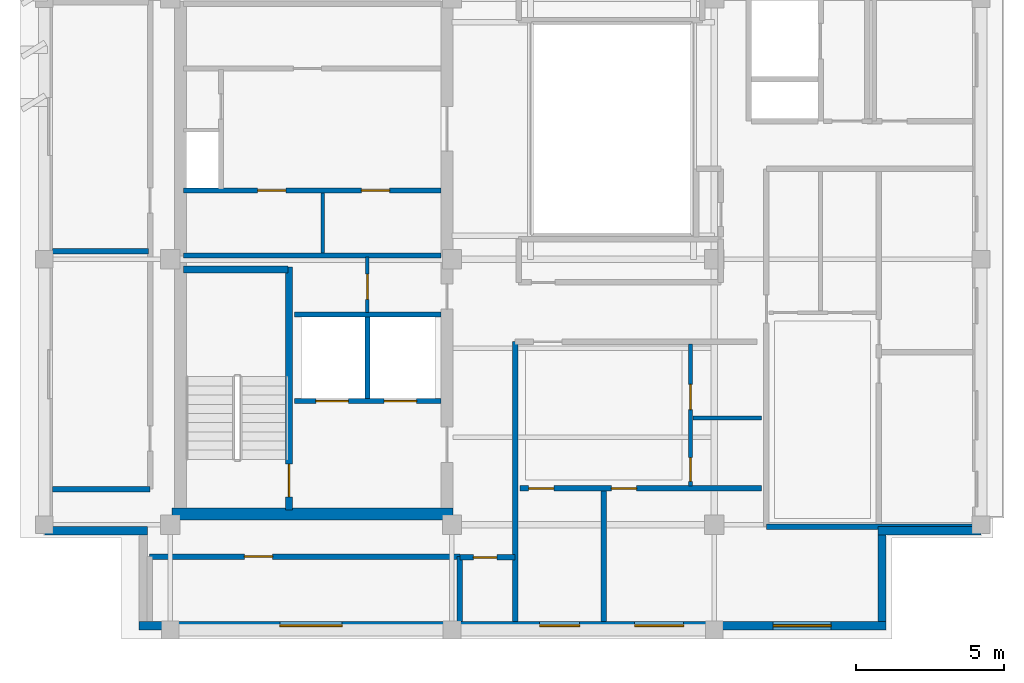
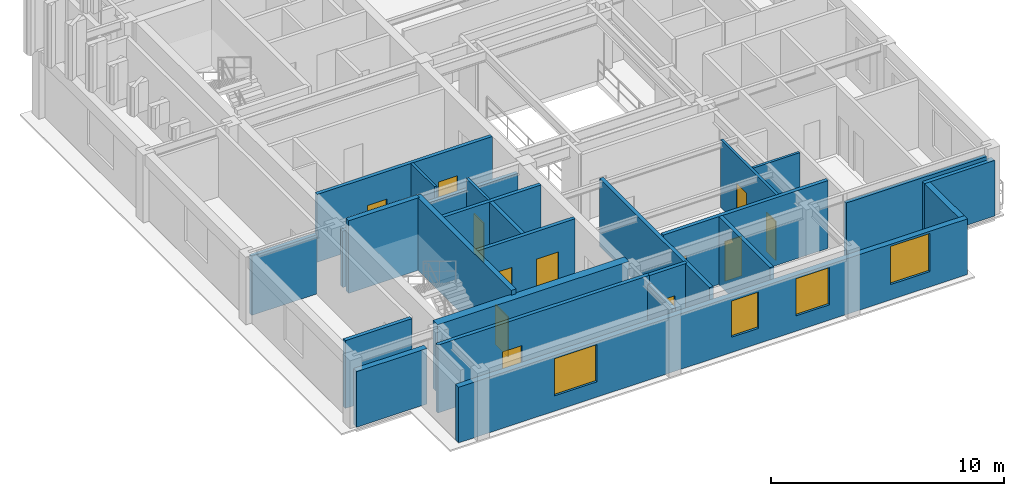
# One storey, part 2 of 9: 25 walls, 12 doors, 4 windows, 16 openings.
"""IFC4 building model written with IfcOpenShell, lengths in metres."""

import ifcopenshell
import ifcopenshell.guid

model = None  # the IFC model being written
_history = None  # IfcOwnerHistory: only IFC2X3 demands one
_inside = {}  # id of a spatial element -> (the spatial element, [elements in it])
_under = {}  # id of a project, library or spatial element -> (it, [spatial elements below it])
_declared = {}  # id of a project -> (the project, [libraries it declares])
_typed = {}  # id of a type object -> (the type object, [elements of that type])
_made_of = {}  # id of a material, layer set ... -> (it, [elements and type objects made of it])


def new_model(schema):
    """Start an empty IFC model of exactly this schema.

    Asked for "IFC4X3", IfcOpenShell would pick the latest addendum, in which some entities
    have other attributes; the version numbers below select the first issue.
    IFC2X3 requires an IfcOwnerHistory on every rooted entity: one is made here for all.
    """
    global model, _history
    if schema == "IFC4X3":
        model = ifcopenshell.file(schema_version=(4, 3, 0, 0))
    else:
        model = ifcopenshell.file(schema=schema)
    _inside.clear()
    _under.clear()
    _declared.clear()
    _typed.clear()
    _made_of.clear()
    _history = None
    if model.schema == "IFC2X3":
        org = make("IfcOrganization", Name="unknown")
        user = make(
            "IfcPersonAndOrganization",
            ThePerson=make("IfcPerson", FamilyName="unknown"),
            TheOrganization=org,
        )
        app = make(
            "IfcApplication",
            ApplicationDeveloper=org,
            Version="unknown",
            ApplicationFullName="unknown",
            ApplicationIdentifier="unknown",
        )
        _history = make(
            "IfcOwnerHistory",
            OwningUser=user,
            OwningApplication=app,
            ChangeAction="ADDED",
            CreationDate=0,
        )
    return model


def make(cls, **values):
    """One entity of the class cls with the attributes given. An attribute that is None is left unset."""
    return model.create_entity(
        cls, **{name: value for name, value in values.items() if value is not None}
    )


def rooted(cls, **values):
    """An entity with a GlobalId (a new one), such as an element, a storey or a relation."""
    return make(cls, GlobalId=ifcopenshell.guid.new(), OwnerHistory=_history, **values)


def si_unit(unit_type, name, prefix=None):
    """IfcSIUnit, for example si_unit("LENGTHUNIT", "METRE", prefix="MILLI")."""
    return make("IfcSIUnit", UnitType=unit_type, Prefix=prefix, Name=name)


def assignment(units):
    """IfcUnitAssignment: the units of a project."""
    return None if units is None else make("IfcUnitAssignment", Units=units)


def point(xyz):
    """IfcCartesianPoint."""
    return None if xyz is None else make("IfcCartesianPoint", Coordinates=xyz)


def direction(xyz):
    """IfcDirection."""
    return None if xyz is None else make("IfcDirection", DirectionRatios=xyz)


def frame(location, z_axis=None, x_axis=None):
    """IfcAxis2Placement3D, a coordinate frame: its origin and axes. An axis left out is left unset."""
    return make(
        "IfcAxis2Placement3D",
        Location=point(location),
        Axis=direction(z_axis),
        RefDirection=direction(x_axis),
    )


def frame_2d(location, x_axis=None):
    """IfcAxis2Placement2D, a coordinate frame in the plane: its origin and x axis."""
    return make(
        "IfcAxis2Placement2D", Location=point(location), RefDirection=direction(x_axis)
    )


def origin():
    """The frame at (0, 0, 0) with its axes left unset."""
    return frame((0.0, 0.0, 0.0))


def place(relative_to, where):
    """IfcLocalPlacement: puts the frame where relative to a parent placement (None: the world)."""
    return make(
        "IfcLocalPlacement", PlacementRelTo=relative_to, RelativePlacement=where
    )


def context(
    kind, dimensions, precision=None, world=None, true_north=None, identifier=None
):
    """IfcGeometricRepresentationContext, for example the 3D "Model" context."""
    return make(
        "IfcGeometricRepresentationContext",
        ContextIdentifier=identifier,
        ContextType=kind,
        CoordinateSpaceDimension=dimensions,
        Precision=precision,
        WorldCoordinateSystem=world,
        TrueNorth=true_north,
    )


def subcontext(parent, identifier, kind, view, scale=None):
    """IfcGeometricRepresentationSubContext, for example "Body" below "Model"."""
    return make(
        "IfcGeometricRepresentationSubContext",
        ContextIdentifier=identifier,
        ContextType=kind,
        ParentContext=parent,
        TargetScale=scale,
        TargetView=view,
    )


def project(units=None, contexts=None):
    """IfcProject with its units and contexts."""
    return rooted(
        "IfcProject",
        Name="project",
        RepresentationContexts=contexts,
        UnitsInContext=assignment(units),
    )


def spatial(cls, under=None, at=None, **own):
    """A site, building, storey or space (cls), placed at a placement, below another one or the project."""
    s = rooted(cls, ObjectPlacement=at, **own)
    if under is not None:
        _under.setdefault(under.id(), (under, []))[1].append(s)
    return s


def profile(cls, at=None, kind="AREA", **sizes):
    """A parametric profile (cls). Its sizes go by their IFC names, for example OverallWidth=200.0."""
    return make(cls, ProfileType=kind, Position=at, **sizes)


def rectangle(**sizes):
    """IfcRectangleProfileDef."""
    return profile("IfcRectangleProfileDef", **sizes)


def extrude(swept, where, along, depth):
    """IfcExtrudedAreaSolid: the profile swept, set in the frame where, extruded along a direction by depth."""
    return make(
        "IfcExtrudedAreaSolid",
        SweptArea=swept,
        Position=where,
        ExtrudedDirection=direction(along),
        Depth=depth,
    )


def shape(context_of_items, identifier, shape_type, items):
    """IfcShapeRepresentation: the items that make up one representation, for example the "Body"."""
    return make(
        "IfcShapeRepresentation",
        ContextOfItems=context_of_items,
        RepresentationIdentifier=identifier,
        RepresentationType=shape_type,
        Items=items,
    )


def material(Name=None, Category=None):
    """IfcMaterial."""
    return make("IfcMaterial", Name=Name, Category=Category)


def layer(
    of_material, thickness, ventilated=None, Name=None, Category=None, Priority=None
):
    """IfcMaterialLayer: one layer of a wall or slab, of a material (None: an air gap)."""
    return make(
        "IfcMaterialLayer",
        Material=of_material,
        LayerThickness=thickness,
        IsVentilated=ventilated,
        Name=Name,
        Category=Category,
        Priority=Priority,
    )


def layer_set(layers, Name=None):
    """IfcMaterialLayerSet."""
    return make("IfcMaterialLayerSet", MaterialLayers=layers, LayerSetName=Name)


def made_of(thing, what):
    """Note that an element or type object is made of a material, layer set ...; save() writes the relation."""
    if what is not None:
        _made_of.setdefault(what.id(), (what, []))[1].append(thing)
    return thing


def type_object(cls, material=None, **own):
    """A type object (cls), such as IfcWallType, which elements share."""
    return made_of(rooted(cls, **own), material)


def element(
    cls,
    number,
    at=None,
    inside=None,
    cuts=None,
    type_object=None,
    material=None,
    context=None,
    identifier="Body",
    shape_type=None,
    held_by="IfcProductDefinitionShape",
    body=None,
    shapes=None,
    **own,
):
    """One element of the class cls, such as IfcWall. Its Tag is "e" and its number.

    at: its placement. inside: the storey or other place that contains it. cuts: it is an
    opening in that element (IfcRelVoidsElement). A single representation is given by context,
    identifier, shape_type and body (its items); several are given by shapes. held_by: the class
    of the entity that holds the representations. save() writes the other relations.
    """
    e = rooted(cls, Tag="e%d" % number, ObjectPlacement=at, **own)
    if body is not None:
        shapes = [shape(context, identifier, shape_type, body)]
    if shapes is not None:
        e.Representation = make(held_by, Representations=shapes)
    if inside is not None:
        _inside.setdefault(inside.id(), (inside, []))[1].append(e)
    if cuts is not None:
        rooted(
            "IfcRelVoidsElement", RelatingBuildingElement=cuts, RelatedOpeningElement=e
        )
    if type_object is not None:
        _typed.setdefault(type_object.id(), (type_object, []))[1].append(e)
    return made_of(e, material)


def fill(opening, filler):
    """IfcRelFillsElement: the door or window that sits in an opening."""
    return rooted(
        "IfcRelFillsElement",
        RelatingOpeningElement=opening,
        RelatedBuildingElement=filler,
    )


def aggregate(whole, parts):
    """IfcRelAggregates: a whole, such as a stair, and the parts it consists of."""
    return rooted("IfcRelAggregates", RelatingObject=whole, RelatedObjects=parts)


def save(model, path):
    """Write the relations noted so far, then the file.

    IfcRelAggregates (storeys below a building ...), IfcRelContainedInSpatialStructure (elements
    in a storey), IfcRelDefinesByType, IfcRelAssociatesMaterial and IfcRelDeclares: one each for
    every whole, place, type object, material and project.
    """
    for whole, parts in _under.values():
        aggregate(whole, parts)
    for where, things in _inside.values():
        rooted(
            "IfcRelContainedInSpatialStructure",
            RelatedElements=things,
            RelatingStructure=where,
        )
    for kind, things in _typed.values():
        rooted("IfcRelDefinesByType", RelatedObjects=things, RelatingType=kind)
    for what, things in _made_of.values():
        rooted("IfcRelAssociatesMaterial", RelatedObjects=things, RelatingMaterial=what)
    for by, libraries in _declared.values():
        rooted("IfcRelDeclares", RelatingContext=by, RelatedDefinitions=libraries)
    model.write(path)


model = new_model("IFC4")

# Units and contexts
model_context = context("Model", 3, precision=1e-05, world=origin(), true_north=direction((0.0, 1.0)))
body_context = subcontext(model_context, "Body", "Model", "MODEL_VIEW")
ifc_project = project(units=[si_unit("LENGTHUNIT", "METRE"), si_unit("AREAUNIT", "SQUARE_METRE"), si_unit("VOLUMEUNIT", "CUBIC_METRE"), si_unit("PLANEANGLEUNIT", "RADIAN"), si_unit("MASSUNIT", "GRAM", prefix="KILO")], contexts=[model_context])

# Site, building, storey
site_placement = place(None, origin())
site = spatial("IfcSite", under=ifc_project, at=site_placement, CompositionType="ELEMENT")
building_placement = place(site_placement, origin())
building = spatial("IfcBuilding", under=site, at=building_placement, Name="Kundavana Baori Tower", CompositionType="ELEMENT")
storey_placement = place(building_placement, frame((0.0, 0.0, 342.89990234375)))
storey = spatial("IfcBuildingStorey", under=building, at=storey_placement, Name="L85", CompositionType="ELEMENT", Elevation=342.89990234375)

# Wall
ifc_material_1 = material(Name="Concrete C50/60", Category="concrete")
ifc_layer_1 = layer(ifc_material_1, 0.39990234375, Name="WL-CORE-400")
ifc_layer_set_1 = layer_set([ifc_layer_1], Name="Concrete C50/60")
wall_type_1 = type_object("IfcWallType", Name="WL-CORE-400", PredefinedType="SHEAR", material=ifc_layer_set_1)
wall_1_placement = place(storey_placement, frame((15.5, 15.610107421875, 0.0), z_axis=(0.0, 0.0, 1.0), x_axis=(1.0, 0.0, 0.0)))
element("IfcWall", 1, at=wall_1_placement, inside=storey, type_object=wall_type_1, Name="L85 Offset Core South Shear Wall", PredefinedType="SHEAR", context=body_context, shape_type="SweptSolid", body=[
    extrude(rectangle(XDim=9.47998046875, YDim=0.39990234375, at=frame_2d((4.739990234375, 0.0))), origin(), (0.0, 0.0, 1.0), 3.550048828125),
])

# Wall, opening, door
wall_2_placement = place(storey_placement, frame((19.4599609375, 15.739990234375, 0.0), z_axis=(0.0, 0.0, 1.0), x_axis=(0.0, 1.0, 0.0)))
wall_2 = element("IfcWall", 2, at=wall_2_placement, inside=storey, type_object=wall_type_1, Name="WL-L85-ST1-E", PredefinedType="SHEAR", context=body_context, shape_type="SweptSolid", body=[
    extrude(rectangle(XDim=8.199951171875, YDim=0.239990234375, at=frame_2d((4.10009765625, 0.0))), origin(), (0.0, 0.0, 1.0), 3.800048828125),
])
opening_1_placement = place(wall_2_placement, frame((0.449951171875, 0.0, 0.0)))
opening_1 = element("IfcOpeningElement", 3, at=opening_1_placement, cuts=wall_2, Name="Opening FD-110", PredefinedType="OPENING", context=body_context, shape_type="SweptSolid", body=[
    extrude(rectangle(XDim=1.10009765625, YDim=2.10009765625, at=frame_2d((0.550048828125, 1.050048828125))), frame((0.0, 0.1298828125, 0.0), z_axis=(0.0, -1.0, 0.0), x_axis=(1.0, 0.0, 0.0)), (0.0, 0.0, 1.0), 0.260009765625),
])
ifc_material_2 = material(Name="Galvanised Steel Fire-Rated Door Leaf", Category="steel")
door_type_1 = type_object("IfcDoorType", Name="DR-FD120-1100", OperationType="NOTDEFINED", PredefinedType="DOOR", material=ifc_material_2)
door_1_placement = place(opening_1_placement, origin())
door_1 = element("IfcDoor", 4, at=door_1_placement, inside=storey, type_object=door_type_1, Name="DR-L85-ST1", OperationType="SINGLE_SWING_LEFT", OverallHeight=2.10009765625, OverallWidth=1.10009765625, PredefinedType="DOOR", context=body_context, shape_type="SweptSolid", body=[
    extrude(rectangle(XDim=1.10009765625, YDim=2.10009765625, at=frame_2d((0.550048828125, 1.050048828125))), frame((0.0, 0.02490234375, 0.0), z_axis=(0.0, -1.0, 0.0), x_axis=(1.0, 0.0, 0.0)), (0.0, 0.0, 1.0), 0.050048828125),
])
fill(opening_1, door_1)

# Wall
wall_3_placement = place(storey_placement, frame((15.89990234375, 23.860107421875, 0.0), z_axis=(0.0, 0.0, 1.0), x_axis=(1.0, 0.0, 0.0)))
element("IfcWall", 5, at=wall_3_placement, inside=storey, type_object=wall_type_1, Name="WL-L85-ST1-N", PredefinedType="SHEAR", context=body_context, shape_type="SweptSolid", body=[
    extrude(rectangle(XDim=3.52001953125, YDim=0.239990234375, at=frame_2d((1.760009765625, 0.0))), origin(), (0.0, 0.0, 1.0), 3.800048828125),
])

# Wall, openings, windows
ifc_material_3 = material(Name="Red-Buff Dholpur Sandstone Cladding on Concrete C40/50", Category="masonry")
ifc_layer_2 = layer(ifc_material_3, 0.280029296875, Name="WL-EXT-SAND-280")
ifc_layer_set_2 = layer_set([ifc_layer_2], Name="Red-Buff Dholpur Sandstone Cladding on Concrete C40/50")
wall_type_2 = type_object("IfcWallType", Name="WL-EXT-SAND-280", PredefinedType="STANDARD", material=ifc_layer_set_2)
wall_4_placement = place(storey_placement, frame((14.39990234375, 11.840087890625, 0.0), z_axis=(0.0, 0.0, 1.0), x_axis=(1.0, 0.0, 0.0)))
wall_4 = element("IfcWall", 6, at=wall_4_placement, inside=storey, type_object=wall_type_2, Name="L85 Exterior Insulated Facade Wall 01", PredefinedType="STANDARD", context=body_context, shape_type="SweptSolid", body=[
    extrude(rectangle(XDim=25.2001953125, YDim=0.280029296875, at=frame_2d((12.60009765625, 0.0))), origin(), (0.0, 0.0, 1.0), 2.91015625),
])
opening_2_placement = place(wall_4_placement, frame((4.75, 0.0, 0.800048828125)))
opening_2 = element("IfcOpeningElement", 7, at=opening_2_placement, cuts=wall_4, Name="Opening W-05", PredefinedType="OPENING", context=body_context, shape_type="SweptSolid", body=[
    extrude(rectangle(XDim=2.10009765625, YDim=1.949951171875, at=frame_2d((1.050048828125, 0.97509765625))), frame((0.0, 0.14990234375, 0.0), z_axis=(0.0, -1.0, 0.0), x_axis=(1.0, 0.0, 0.0)), (0.0, 0.0, 1.0), 0.300048828125),
])
opening_3_placement = place(wall_4_placement, frame((13.5048828125, 0.0, 0.800048828125)))
opening_3 = element("IfcOpeningElement", 8, at=opening_3_placement, cuts=wall_4, Name="Opening W-07", PredefinedType="OPENING", context=body_context, shape_type="SweptSolid", body=[
    extrude(rectangle(XDim=1.35009765625, YDim=1.89990234375, at=frame_2d((0.675048828125, 0.949951171875))), frame((0.0, 0.14990234375, 0.0), z_axis=(0.0, -1.0, 0.0), x_axis=(1.0, 0.0, 0.0)), (0.0, 0.0, 1.0), 0.300048828125),
])
opening_4_placement = place(wall_4_placement, frame((16.715087890625, 0.0, 0.800048828125)))
opening_4 = element("IfcOpeningElement", 9, at=opening_4_placement, cuts=wall_4, Name="Opening W-08", PredefinedType="OPENING", context=body_context, shape_type="SweptSolid", body=[
    extrude(rectangle(XDim=1.64990234375, YDim=1.949951171875, at=frame_2d((0.824951171875, 0.97509765625))), frame((0.0, 0.14990234375, 0.0), z_axis=(0.0, -1.0, 0.0), x_axis=(1.0, 0.0, 0.0)), (0.0, 0.0, 1.0), 0.300048828125),
])
opening_5_placement = place(wall_4_placement, frame((21.389892578125, 0.0, 0.800048828125)))
opening_5 = element("IfcOpeningElement", 10, at=opening_5_placement, cuts=wall_4, Name="Opening W-09", PredefinedType="OPENING", context=body_context, shape_type="SweptSolid", body=[
    extrude(rectangle(XDim=1.949951171875, YDim=2.0, at=frame_2d((0.97509765625, 1.0))), frame((0.0, 0.14990234375, 0.0), z_axis=(0.0, -1.0, 0.0), x_axis=(1.0, 0.0, 0.0)), (0.0, 0.0, 1.0), 0.300048828125),
])
ifc_material_4 = material(Name="Double-Glazed Solar-Control Low-E Insulated Glass", Category="glass")
window_type_1 = type_object("IfcWindowType", Name="WIN-LOG-1350x1900", PartitioningType="SINGLE_PANEL", PredefinedType="WINDOW", material=ifc_material_4)
window_1_placement = place(opening_3_placement, origin())
window_1 = element("IfcWindow", 11, at=window_1_placement, inside=storey, type_object=window_type_1, Name="L85 Recessed Loggia Window S-2", OverallHeight=1.89990234375, OverallWidth=1.35009765625, PartitioningType="SINGLE_PANEL", PredefinedType="WINDOW", context=body_context, shape_type="SweptSolid", body=[
    extrude(rectangle(XDim=1.35009765625, YDim=1.89990234375, at=frame_2d((0.675048828125, 0.949951171875))), frame((0.0, 0.030029296875, 0.0), z_axis=(0.0, -1.0, 0.0), x_axis=(1.0, 0.0, 0.0)), (0.0, 0.0, 1.0), 0.06005859375),
])
fill(opening_3, window_1)
ifc_material_5 = material(Name="Double-Glazed Solar-Control Low-E Insulated Glass", Category="glass")
window_type_2 = type_object("IfcWindowType", Name="WIN-LOG-1650x1950", PartitioningType="SINGLE_PANEL", PredefinedType="WINDOW", material=ifc_material_5)
window_2_placement = place(opening_4_placement, origin())
window_2 = element("IfcWindow", 12, at=window_2_placement, inside=storey, type_object=window_type_2, Name="L85 Recessed Loggia Window S-3", OverallHeight=1.949951171875, OverallWidth=1.64990234375, PartitioningType="SINGLE_PANEL", PredefinedType="WINDOW", context=body_context, shape_type="SweptSolid", body=[
    extrude(rectangle(XDim=1.64990234375, YDim=1.949951171875, at=frame_2d((0.824951171875, 0.97509765625))), frame((0.0, 0.030029296875, 0.0), z_axis=(0.0, -1.0, 0.0), x_axis=(1.0, 0.0, 0.0)), (0.0, 0.0, 1.0), 0.06005859375),
])
fill(opening_4, window_2)
ifc_material_6 = material(Name="Double-Glazed Solar-Control Low-E Insulated Glass", Category="glass")
window_type_3 = type_object("IfcWindowType", Name="WIN-LOG-1950x2000", PartitioningType="SINGLE_PANEL", PredefinedType="WINDOW", material=ifc_material_6)
window_3_placement = place(opening_5_placement, origin())
window_3 = element("IfcWindow", 13, at=window_3_placement, inside=storey, type_object=window_type_3, Name="L85 Recessed Loggia Window S-4", OverallHeight=2.0, OverallWidth=1.949951171875, PartitioningType="SINGLE_PANEL", PredefinedType="WINDOW", context=body_context, shape_type="SweptSolid", body=[
    extrude(rectangle(XDim=1.949951171875, YDim=2.0, at=frame_2d((0.97509765625, 1.0))), frame((0.0, 0.030029296875, 0.0), z_axis=(0.0, -1.0, 0.0), x_axis=(1.0, 0.0, 0.0)), (0.0, 0.0, 1.0), 0.06005859375),
])
fill(opening_5, window_3)
ifc_material_7 = material(Name="Double-Glazed Solar-Control Low-E Insulated Glass", Category="glass")
window_type_4 = type_object("IfcWindowType", Name="WIN-LOG-2100x1950", PartitioningType="SINGLE_PANEL", PredefinedType="WINDOW", material=ifc_material_7)
window_4_placement = place(opening_2_placement, origin())
window_4 = element("IfcWindow", 14, at=window_4_placement, inside=storey, type_object=window_type_4, Name="L85 Recessed Loggia Window S-1", OverallHeight=1.949951171875, OverallWidth=2.10009765625, PartitioningType="SINGLE_PANEL", PredefinedType="WINDOW", context=body_context, shape_type="SweptSolid", body=[
    extrude(rectangle(XDim=2.10009765625, YDim=1.949951171875, at=frame_2d((1.050048828125, 0.97509765625))), frame((0.0, 0.030029296875, 0.0), z_axis=(0.0, -1.0, 0.0), x_axis=(1.0, 0.0, 0.0)), (0.0, 0.0, 1.0), 0.06005859375),
])
fill(opening_2, window_4)

# Walls
wall_5_placement = place(storey_placement, frame((39.4599609375, 11.97998046875, 0.0), z_axis=(0.0, 0.0, 1.0), x_axis=(0.0, 1.0, 0.0)))
element("IfcWall", 15, at=wall_5_placement, inside=storey, type_object=wall_type_2, Name="L85 Exterior Insulated Facade Wall 02", PredefinedType="STANDARD", context=body_context, shape_type="SweptSolid", body=[
    extrude(rectangle(XDim=2.919921875, YDim=0.280029296875, at=frame_2d((1.4599609375, 0.0))), origin(), (0.0, 0.0, 1.0), 2.91015625),
])
for number, where, z_axis, x_axis, name in (
    (16, (39.320068359375, 15.0400390625, 0.0), (0.0, 0.0, 1.0), (1.0, 0.0, 0.0), "L85 Exterior Insulated Facade Wall 03"),
    (17, (11.199951171875, 15.0400390625, 0.0), (0.0, 0.0, 1.0), (1.0, 0.0, 0.0), "L85 Exterior Insulated Facade Wall 11"),
):
    element("IfcWall", number, at=place(storey_placement, frame(where, z_axis=z_axis, x_axis=x_axis)), inside=storey, type_object=wall_type_2, Name=name, PredefinedType="STANDARD", context=body_context, shape_type="SweptSolid", body=[
        extrude(rectangle(XDim=3.47998046875, YDim=0.280029296875, at=frame_2d((1.739990234375, 0.0))), origin(), (0.0, 0.0, 1.0), 2.91015625),
    ])

# Wall, opening, door
ifc_material_8 = material(Name="Acoustic Gypsum Plasterboard on Galvanised Steel Studs", Category="steel")
ifc_layer_3 = layer(ifc_material_8, 0.1201171875, Name="WL-PART-120")
ifc_layer_set_3 = layer_set([ifc_layer_3], Name="Acoustic Gypsum Plasterboard on Galvanised Steel Studs")
wall_type_3 = type_object("IfcWallType", Name="WL-PART-120", PredefinedType="PARTITIONING", material=ifc_layer_set_3)
wall_6_placement = place(storey_placement, frame((22.10009765625, 22.39990234375, 0.0), z_axis=(0.0, 0.0, 1.0), x_axis=(0.0, 1.0, 0.0)))
wall_6 = element("IfcWall", 18, at=wall_6_placement, inside=storey, type_object=wall_type_3, Name="WL-L85-CSMK-D1", PredefinedType="PARTITIONING", context=body_context, shape_type="SweptSolid", body=[
    extrude(rectangle(XDim=1.880126953125, YDim=0.1201171875, at=frame_2d((0.93994140625, 0.0))), origin(), (0.0, 0.0, 1.0), 3.550048828125),
])
opening_6_placement = place(wall_6_placement, frame((0.449951171875, 0.0, 0.0)))
opening_6 = element("IfcOpeningElement", 19, at=opening_6_placement, cuts=wall_6, Name="Opening FD-085", PredefinedType="OPENING", context=body_context, shape_type="SweptSolid", body=[
    extrude(rectangle(XDim=0.85009765625, YDim=2.06005859375, at=frame_2d((0.425048828125, 1.030029296875))), frame((0.0, 0.070068359375, 0.0), z_axis=(0.0, -1.0, 0.0), x_axis=(1.0, 0.0, 0.0)), (0.0, 0.0, 1.0), 0.14013671875),
])
ifc_material_9 = material(Name="Galvanised Steel Fire-Rated Door Leaf", Category="steel")
door_type_2 = type_object("IfcDoorType", Name="DR-FD60-850", OperationType="NOTDEFINED", PredefinedType="DOOR", material=ifc_material_9)
door_2_placement = place(opening_6_placement, origin())
door_2 = element("IfcDoor", 20, at=door_2_placement, inside=storey, type_object=door_type_2, Name="DR-L85-CSMK1", OperationType="SINGLE_SWING_LEFT", OverallHeight=2.06005859375, OverallWidth=0.85009765625, PredefinedType="DOOR", context=body_context, shape_type="SweptSolid", body=[
    extrude(rectangle(XDim=0.85009765625, YDim=2.06005859375, at=frame_2d((0.425048828125, 1.030029296875))), frame((0.0, 0.02490234375, 0.0), z_axis=(0.0, -1.0, 0.0), x_axis=(1.0, 0.0, 0.0)), (0.0, 0.0, 1.0), 0.050048828125),
])
fill(opening_6, door_2)

# Walls
wall_7_placement = place(storey_placement, frame((20.60009765625, 24.419921875, 0.0), z_axis=(0.0, 0.0, 1.0), x_axis=(0.0, 1.0, 0.0)))
element("IfcWall", 21, at=wall_7_placement, inside=storey, type_object=wall_type_3, Name="WL-L85-FRLOW-DIV", PredefinedType="PARTITIONING", context=body_context, shape_type="SweptSolid", body=[
    extrude(rectangle(XDim=2.02001953125, YDim=0.1201171875, at=frame_2d((1.010009765625, 0.0))), origin(), (0.0, 0.0, 1.0), 3.550048828125),
])
ifc_material_10 = material(Name="Autoclaved Aerated Concrete Blockwork Masonry", Category="masonry")
ifc_layer_4 = layer(ifc_material_10, 0.18505859375, Name="WL-PART-180")
ifc_layer_set_4 = layer_set([ifc_layer_4], Name="Autoclaved Aerated Concrete Blockwork Masonry")
wall_type_4 = type_object("IfcWallType", Name="WL-PART-180", PredefinedType="SOLIDWALL", material=ifc_layer_set_4)
wall_8_placement = place(storey_placement, frame((27.080078125, 11.97998046875, 0.0), z_axis=(0.0, 0.0, 1.0), x_axis=(0.0, 1.0, 0.0)))
element("IfcWall", 22, at=wall_8_placement, inside=storey, type_object=wall_type_4, Name="WL-L85-RSW", PredefinedType="SOLIDWALL", context=body_context, shape_type="SweptSolid", body=[
    extrude(rectangle(XDim=9.43994140625, YDim=0.18505859375, at=frame_2d((4.719970703125, 0.0))), origin(), (0.0, 0.0, 1.0), 3.550048828125),
])

# Wall, opening, door
wall_9_placement = place(storey_placement, frame((14.75, 14.169921875, 0.0), z_axis=(0.0, 0.0, 1.0), x_axis=(1.0, 0.0, 0.0)))
wall_9 = element("IfcWall", 23, at=wall_9_placement, inside=storey, type_object=wall_type_4, Name="WL-L85-RSC", PredefinedType="SOLIDWALL", context=body_context, shape_type="SweptSolid", body=[
    extrude(rectangle(XDim=10.469970703125, YDim=0.18505859375, at=frame_2d((5.23486328125, 0.0))), origin(), (0.0, 0.0, 1.0), 3.550048828125),
])
opening_7_placement = place(wall_9_placement, frame((3.199951171875, 0.0, 0.0)))
opening_7 = element("IfcOpeningElement", 24, at=opening_7_placement, cuts=wall_9, Name="Opening ID-095", PredefinedType="OPENING", context=body_context, shape_type="SweptSolid", body=[
    extrude(rectangle(XDim=0.949951171875, YDim=2.080078125, at=frame_2d((0.47509765625, 1.0400390625))), frame((0.0, 0.1025390625, 0.0), z_axis=(0.0, -1.0, 0.0), x_axis=(1.0, 0.0, 0.0)), (0.0, 0.0, 1.0), 0.205078125),
])
ifc_material_11 = material(Name="Engineered Teak Solid-Core Timber Veneer", Category="wood")
door_type_3 = type_object("IfcDoorType", Name="DR-INT-950", OperationType="NOTDEFINED", PredefinedType="DOOR", material=ifc_material_11)
door_3_placement = place(opening_7_placement, frame((0.949951171875, 0.0, 0.0), z_axis=(0.0, 0.0, 1.0), x_axis=(-1.0, 0.0, 0.0)))
door_3 = element("IfcDoor", 25, at=door_3_placement, inside=storey, type_object=door_type_3, Name="DR-L85-RMSW", OperationType="SINGLE_SWING_LEFT", OverallHeight=2.080078125, OverallWidth=0.949951171875, PredefinedType="DOOR", context=body_context, shape_type="SweptSolid", body=[
    extrude(rectangle(XDim=0.949951171875, YDim=2.080078125, at=frame_2d((0.47509765625, 1.0400390625))), frame((0.0, 0.02490234375, 0.0), z_axis=(0.0, -1.0, 0.0), x_axis=(1.0, 0.0, 0.0)), (0.0, 0.0, 1.0), 0.050048828125),
])
fill(opening_7, door_3)

# Walls
wall_10_placement = place(storey_placement, frame((25.219970703125, 11.97998046875, 0.0), z_axis=(0.0, 0.0, 1.0), x_axis=(0.0, 1.0, 0.0)))
element("IfcWall", 26, at=wall_10_placement, inside=storey, type_object=wall_type_4, Name="WL-L85-RSCE", PredefinedType="SOLIDWALL", context=body_context, shape_type="SweptSolid", body=[
    extrude(rectangle(XDim=2.18994140625, YDim=0.18505859375, at=frame_2d((1.094970703125, 0.0))), origin(), (0.0, 0.0, 1.0), 3.10009765625),
])
wall_11_placement = place(storey_placement, frame((11.47998046875, 16.449951171875, 0.0), z_axis=(0.0, 0.0, 1.0), x_axis=(1.0, 0.0, 0.0)))
element("IfcWall", 27, at=wall_11_placement, inside=storey, type_object=wall_type_4, Name="WL-L85-RWS", PredefinedType="SOLIDWALL", context=body_context, shape_type="SweptSolid", body=[
    extrude(rectangle(XDim=3.2900390625, YDim=0.18505859375, at=frame_2d((1.64501953125, 0.0))), origin(), (0.0, 0.0, 1.0), 3.550048828125),
])
wall_12_placement = place(storey_placement, frame((11.47998046875, 24.47998046875, 0.0), z_axis=(0.0, 0.0, 1.0), x_axis=(1.0, 0.0, 0.0)))
element("IfcWall", 28, at=wall_12_placement, inside=storey, type_object=wall_type_4, Name="WL-L85-RWD85-2", PredefinedType="SOLIDWALL", context=body_context, shape_type="SweptSolid", body=[
    extrude(rectangle(XDim=3.22998046875, YDim=0.18505859375, at=frame_2d((1.614990234375, 0.0))), origin(), (0.0, 0.0, 1.0), 3.10009765625),
])

# Wall, openings, doors
wall_13_placement = place(storey_placement, frame((27.239990234375, 16.472900390625, 0.0), z_axis=(0.0, 0.0, 1.0), x_axis=(1.0, 0.0, 0.0)))
wall_13 = element("IfcWall", 29, at=wall_13_placement, inside=storey, type_object=wall_type_4, Name="WL-L85-S1-HZ", PredefinedType="SOLIDWALL", context=body_context, shape_type="SweptSolid", body=[
    extrude(rectangle(XDim=8.159912109375, YDim=0.18505859375, at=frame_2d((4.080078125, 0.0))), origin(), (0.0, 0.0, 1.0), 3.550048828125),
])
opening_8_placement = place(wall_13_placement, frame((0.300048828125, 0.0, 0.0)))
opening_8 = element("IfcOpeningElement", 30, at=opening_8_placement, cuts=wall_13, Name="Opening ID-085", PredefinedType="OPENING", context=body_context, shape_type="SweptSolid", body=[
    extrude(rectangle(XDim=0.85009765625, YDim=2.080078125, at=frame_2d((0.425048828125, 1.0400390625))), frame((0.0, 0.1025390625, 0.0), z_axis=(0.0, -1.0, 0.0), x_axis=(1.0, 0.0, 0.0)), (0.0, 0.0, 1.0), 0.205078125),
])
opening_9_placement = place(wall_13_placement, frame((3.090087890625, 0.0, 0.0)))
opening_9 = element("IfcOpeningElement", 31, at=opening_9_placement, cuts=wall_13, Name="Opening ID-085", PredefinedType="OPENING", context=body_context, shape_type="SweptSolid", body=[
    extrude(rectangle(XDim=0.85009765625, YDim=2.080078125, at=frame_2d((0.425048828125, 1.0400390625))), frame((0.0, 0.1025390625, 0.0), z_axis=(0.0, -1.0, 0.0), x_axis=(1.0, 0.0, 0.0)), (0.0, 0.0, 1.0), 0.205078125),
])
ifc_material_12 = material(Name="Engineered Teak Solid-Core Timber Veneer", Category="wood")
door_type_4 = type_object("IfcDoorType", Name="DR-INT-850", OperationType="NOTDEFINED", PredefinedType="DOOR", material=ifc_material_12)
door_4_placement = place(opening_8_placement, frame((0.85009765625, 0.0, 0.0), z_axis=(0.0, 0.0, 1.0), x_axis=(-1.0, 0.0, 0.0)))
door_4 = element("IfcDoor", 32, at=door_4_placement, inside=storey, type_object=door_type_4, Name="DR-L85-S1-B1", OperationType="SINGLE_SWING_LEFT", OverallHeight=2.080078125, OverallWidth=0.85009765625, PredefinedType="DOOR", context=body_context, shape_type="SweptSolid", body=[
    extrude(rectangle(XDim=0.85009765625, YDim=2.080078125, at=frame_2d((0.425048828125, 1.0400390625))), frame((0.0, 0.02490234375, 0.0), z_axis=(0.0, -1.0, 0.0), x_axis=(1.0, 0.0, 0.0)), (0.0, 0.0, 1.0), 0.050048828125),
])
fill(opening_8, door_4)
door_5_placement = place(opening_9_placement, frame((0.85009765625, 0.0, 0.0), z_axis=(0.0, 0.0, 1.0), x_axis=(-1.0, 0.0, 0.0)))
door_5 = element("IfcDoor", 33, at=door_5_placement, inside=storey, type_object=door_type_4, Name="DR-L85-S1-B2", OperationType="SINGLE_SWING_RIGHT", OverallHeight=2.080078125, OverallWidth=0.85009765625, PredefinedType="DOOR", context=body_context, shape_type="SweptSolid", body=[
    extrude(rectangle(XDim=0.85009765625, YDim=2.080078125, at=frame_2d((0.425048828125, 1.0400390625))), frame((0.0, 0.02490234375, 0.0), z_axis=(0.0, -1.0, 0.0), x_axis=(1.0, 0.0, 0.0)), (0.0, 0.0, 1.0), 0.050048828125),
])
fill(opening_9, door_5)

# Walls
wall_14_placement = place(storey_placement, frame((30.080078125, 11.97998046875, 0.0), z_axis=(0.0, 0.0, 1.0), x_axis=(0.0, 1.0, 0.0)))
element("IfcWall", 34, at=wall_14_placement, inside=storey, type_object=wall_type_4, Name="WL-L85-S1-BDV", PredefinedType="SOLIDWALL", context=body_context, shape_type="SweptSolid", body=[
    extrude(rectangle(XDim=4.4130859375, YDim=0.18505859375, at=frame_2d((2.20654296875, 0.0))), origin(), (0.0, 0.0, 1.0), 3.550048828125),
])
wall_15_placement = place(storey_placement, frame((35.56005859375, 15.179931640625, 0.0), z_axis=(0.0, 0.0, 1.0), x_axis=(1.0, 0.0, 0.0)))
element("IfcWall", 35, at=wall_15_placement, inside=storey, type_object=wall_type_4, Name="WL-L85-CSES", PredefinedType="SOLIDWALL", context=body_context, shape_type="SweptSolid", body=[
    extrude(rectangle(XDim=6.9599609375, YDim=0.18505859375, at=frame_2d((3.47998046875, 0.0))), origin(), (0.0, 0.0, 1.0), 3.10009765625),
])

# Wall, opening, door
wall_16_placement = place(storey_placement, frame((25.219970703125, 14.14990234375, 0.0), z_axis=(0.0, 0.0, 1.0), x_axis=(1.0, 0.0, 0.0)))
wall_16 = element("IfcWall", 36, at=wall_16_placement, inside=storey, type_object=wall_type_4, Name="WL-L85-CSCN", PredefinedType="SOLIDWALL", context=body_context, shape_type="SweptSolid", body=[
    extrude(rectangle(XDim=1.860107421875, YDim=0.18505859375, at=frame_2d((0.93017578125, 0.0))), origin(), (0.0, 0.0, 1.0), 3.550048828125),
])
opening_10_placement = place(wall_16_placement, frame((0.449951171875, 0.0, 0.0)))
opening_10 = element("IfcOpeningElement", 37, at=opening_10_placement, cuts=wall_16, Name="Opening WD-080", PredefinedType="OPENING", context=body_context, shape_type="SweptSolid", body=[
    extrude(rectangle(XDim=0.800048828125, YDim=2.050048828125, at=frame_2d((0.39990234375, 1.02490234375))), frame((0.0, 0.1025390625, 0.0), z_axis=(0.0, -1.0, 0.0), x_axis=(1.0, 0.0, 0.0)), (0.0, 0.0, 1.0), 0.205078125),
])
ifc_material_13 = material(Name="Engineered Teak Solid-Core Timber Veneer", Category="wood")
door_type_5 = type_object("IfcDoorType", Name="DR-WET-800", OperationType="NOTDEFINED", PredefinedType="DOOR", material=ifc_material_13)
door_6_placement = place(opening_10_placement, origin())
door_6 = element("IfcDoor", 38, at=door_6_placement, inside=storey, type_object=door_type_5, Name="DR-L85-CSCS", OperationType="SINGLE_SWING_LEFT", OverallHeight=2.050048828125, OverallWidth=0.800048828125, PredefinedType="DOOR", context=body_context, shape_type="SweptSolid", body=[
    extrude(rectangle(XDim=0.800048828125, YDim=2.050048828125, at=frame_2d((0.39990234375, 1.02490234375))), frame((0.0, 0.02490234375, 0.0), z_axis=(0.0, -1.0, 0.0), x_axis=(1.0, 0.0, 0.0)), (0.0, 0.0, 1.0), 0.050048828125),
])
fill(opening_10, door_6)

# Wall, openings, doors
ifc_material_14 = material(Name="Autoclaved Aerated Concrete Blockwork Masonry", Category="masonry")
ifc_layer_5 = layer(ifc_material_14, 0.179931640625, Name="WL-SHAFT-180")
ifc_layer_set_5 = layer_set([ifc_layer_5], Name="Autoclaved Aerated Concrete Blockwork Masonry")
wall_type_5 = type_object("IfcWallType", Name="WL-SHAFT-180", PredefinedType="SOLIDWALL", material=ifc_layer_set_5)
wall_17_placement = place(storey_placement, frame((19.639892578125, 19.419921875, 0.0), z_axis=(0.0, 0.0, 1.0), x_axis=(1.0, 0.0, 0.0)))
wall_17 = element("IfcWall", 39, at=wall_17_placement, inside=storey, type_object=wall_type_5, Name="WL-L85-FFL-S", PredefinedType="SOLIDWALL", context=body_context, shape_type="SweptSolid", body=[
    extrude(rectangle(XDim=4.940185546875, YDim=0.179931640625, at=frame_2d((2.47021484375, 0.0))), origin(), (0.0, 0.0, 1.0), 3.550048828125),
])
opening_11_placement = place(wall_17_placement, frame((0.719970703125, 0.0, 0.0)))
opening_11 = element("IfcOpeningElement", 40, at=opening_11_placement, cuts=wall_17, Name="Opening LD-110", PredefinedType="OPENING", context=body_context, shape_type="SweptSolid", body=[
    extrude(rectangle(XDim=1.10009765625, YDim=2.10009765625, at=frame_2d((0.550048828125, 1.050048828125))), frame((0.0, 0.10009765625, 0.0), z_axis=(0.0, -1.0, 0.0), x_axis=(1.0, 0.0, 0.0)), (0.0, 0.0, 1.0), 0.199951171875),
])
opening_12_placement = place(wall_17_placement, frame((3.02001953125, 0.0, 0.0)))
opening_12 = element("IfcOpeningElement", 41, at=opening_12_placement, cuts=wall_17, Name="Opening LD-110", PredefinedType="OPENING", context=body_context, shape_type="SweptSolid", body=[
    extrude(rectangle(XDim=1.10009765625, YDim=2.10009765625, at=frame_2d((0.550048828125, 1.050048828125))), frame((0.0, 0.10009765625, 0.0), z_axis=(0.0, -1.0, 0.0), x_axis=(1.0, 0.0, 0.0)), (0.0, 0.0, 1.0), 0.199951171875),
])
ifc_material_15 = material(Name="Galvanised Steel Fire-Rated Door Leaf", Category="steel")
door_type_6 = type_object("IfcDoorType", Name="DR-SLIDE-LD1100", OperationType="NOTDEFINED", PredefinedType="DOOR", material=ifc_material_15)
door_7_placement = place(opening_11_placement, origin())
door_7 = element("IfcDoor", 42, at=door_7_placement, inside=storey, type_object=door_type_6, Name="DR-L85-LD-FFL-1", OperationType="DOUBLE_DOOR_SLIDING", OverallHeight=2.10009765625, OverallWidth=1.10009765625, PredefinedType="DOOR", context=body_context, shape_type="SweptSolid", body=[
    extrude(rectangle(XDim=1.10009765625, YDim=2.10009765625, at=frame_2d((0.550048828125, 1.050048828125))), frame((0.0, 0.02490234375, 0.0), z_axis=(0.0, -1.0, 0.0), x_axis=(1.0, 0.0, 0.0)), (0.0, 0.0, 1.0), 0.050048828125),
])
fill(opening_11, door_7)
door_8_placement = place(opening_12_placement, origin())
door_8 = element("IfcDoor", 43, at=door_8_placement, inside=storey, type_object=door_type_6, Name="DR-L85-LD-FFL-2", OperationType="DOUBLE_DOOR_SLIDING", OverallHeight=2.10009765625, OverallWidth=1.10009765625, PredefinedType="DOOR", context=body_context, shape_type="SweptSolid", body=[
    extrude(rectangle(XDim=1.10009765625, YDim=2.10009765625, at=frame_2d((0.550048828125, 1.050048828125))), frame((0.0, 0.02490234375, 0.0), z_axis=(0.0, -1.0, 0.0), x_axis=(1.0, 0.0, 0.0)), (0.0, 0.0, 1.0), 0.050048828125),
])
fill(opening_12, door_8)

# Walls
wall_18_placement = place(storey_placement, frame((22.10009765625, 19.510009765625, 0.0), z_axis=(0.0, 0.0, 1.0), x_axis=(0.0, 1.0, 0.0)))
element("IfcWall", 44, at=wall_18_placement, inside=storey, type_object=wall_type_5, Name="WL-L85-FFL-MID", PredefinedType="SOLIDWALL", context=body_context, shape_type="SweptSolid", body=[
    extrude(rectangle(XDim=2.739990234375, YDim=0.179931640625, at=frame_2d((1.3701171875, 0.0))), origin(), (0.0, 0.0, 1.0), 3.550048828125),
])
wall_19_placement = place(storey_placement, frame((19.639892578125, 22.340087890625, 0.0), z_axis=(0.0, 0.0, 1.0), x_axis=(1.0, 0.0, 0.0)))
element("IfcWall", 45, at=wall_19_placement, inside=storey, type_object=wall_type_5, Name="WL-L85-FFL-N", PredefinedType="SOLIDWALL", context=body_context, shape_type="SweptSolid", body=[
    extrude(rectangle(XDim=4.940185546875, YDim=0.179931640625, at=frame_2d((2.47021484375, 0.0))), origin(), (0.0, 0.0, 1.0), 3.550048828125),
])

# Wall, openings, doors
wall_20_placement = place(storey_placement, frame((15.89990234375, 26.52001953125, 0.0), z_axis=(0.0, 0.0, 1.0), x_axis=(1.0, 0.0, 0.0)))
wall_20 = element("IfcWall", 46, at=wall_20_placement, inside=storey, type_object=wall_type_5, Name="WL-L85-LPLOW-N", PredefinedType="SOLIDWALL", context=body_context, shape_type="SweptSolid", body=[
    extrude(rectangle(XDim=8.68017578125, YDim=0.179931640625, at=frame_2d((4.340087890625, 0.0))), origin(), (0.0, 0.0, 1.0), 3.550048828125),
])
opening_13_placement = place(wall_20_placement, frame((2.5, 0.0, 0.0)))
opening_13 = element("IfcOpeningElement", 47, at=opening_13_placement, cuts=wall_20, Name="Opening FD-095", PredefinedType="OPENING", context=body_context, shape_type="SweptSolid", body=[
    extrude(rectangle(XDim=0.949951171875, YDim=2.10009765625, at=frame_2d((0.47509765625, 1.050048828125))), frame((0.0, 0.10009765625, 0.0), z_axis=(0.0, -1.0, 0.0), x_axis=(1.0, 0.0, 0.0)), (0.0, 0.0, 1.0), 0.199951171875),
])
opening_14_placement = place(wall_20_placement, frame((6.0, 0.0, 0.0)))
opening_14 = element("IfcOpeningElement", 48, at=opening_14_placement, cuts=wall_20, Name="Opening FD-095", PredefinedType="OPENING", context=body_context, shape_type="SweptSolid", body=[
    extrude(rectangle(XDim=0.949951171875, YDim=2.10009765625, at=frame_2d((0.47509765625, 1.050048828125))), frame((0.0, 0.10009765625, 0.0), z_axis=(0.0, -1.0, 0.0), x_axis=(1.0, 0.0, 0.0)), (0.0, 0.0, 1.0), 0.199951171875),
])
ifc_material_16 = material(Name="Engineered Teak Fire-Rated Timber Door Leaf", Category="wood")
door_type_7 = type_object("IfcDoorType", Name="DR-FD60-950", OperationType="NOTDEFINED", PredefinedType="DOOR", material=ifc_material_16)
door_9_placement = place(opening_13_placement, origin())
door_9 = element("IfcDoor", 49, at=door_9_placement, inside=storey, type_object=door_type_7, Name="DR-L85-FRLOW1", OperationType="SINGLE_SWING_LEFT", OverallHeight=2.10009765625, OverallWidth=0.949951171875, PredefinedType="DOOR", context=body_context, shape_type="SweptSolid", body=[
    extrude(rectangle(XDim=0.949951171875, YDim=2.10009765625, at=frame_2d((0.47509765625, 1.050048828125))), frame((0.0, 0.02490234375, 0.0), z_axis=(0.0, -1.0, 0.0), x_axis=(1.0, 0.0, 0.0)), (0.0, 0.0, 1.0), 0.050048828125),
])
fill(opening_13, door_9)
door_10_placement = place(opening_14_placement, origin())
door_10 = element("IfcDoor", 50, at=door_10_placement, inside=storey, type_object=door_type_7, Name="DR-L85-FRLOW2", OperationType="SINGLE_SWING_RIGHT", OverallHeight=2.10009765625, OverallWidth=0.949951171875, PredefinedType="DOOR", context=body_context, shape_type="SweptSolid", body=[
    extrude(rectangle(XDim=0.949951171875, YDim=2.10009765625, at=frame_2d((0.47509765625, 1.050048828125))), frame((0.0, 0.02490234375, 0.0), z_axis=(0.0, -1.0, 0.0), x_axis=(1.0, 0.0, 0.0)), (0.0, 0.0, 1.0), 0.050048828125),
])
fill(opening_14, door_10)

# Wall
wall_21_placement = place(storey_placement, frame((15.89990234375, 24.330078125, 0.0), z_axis=(0.0, 0.0, 1.0), x_axis=(1.0, 0.0, 0.0)))
element("IfcWall", 51, at=wall_21_placement, inside=storey, type_object=wall_type_5, Name="WL-L85-LPLOW-S", PredefinedType="SOLIDWALL", context=body_context, shape_type="SweptSolid", body=[
    extrude(rectangle(XDim=8.68017578125, YDim=0.179931640625, at=frame_2d((4.340087890625, 0.0))), origin(), (0.0, 0.0, 1.0), 2.9501953125),
])

# Wall, openings, doors
ifc_material_17 = material(Name="Autoclaved Aerated Concrete Blockwork Masonry", Category="masonry")
ifc_layer_6 = layer(ifc_material_17, 0.125, Name="WL-WET-120")
ifc_layer_set_6 = layer_set([ifc_layer_6], Name="Autoclaved Aerated Concrete Blockwork Masonry")
wall_type_6 = type_object("IfcWallType", Name="WL-WET-120", PredefinedType="PLUMBINGWALL", material=ifc_layer_set_6)
wall_22_placement = place(storey_placement, frame((33.0, 16.552978515625, 0.0), z_axis=(0.0, 0.0, 1.0), x_axis=(0.0, 1.0, 0.0)))
wall_22 = element("IfcWall", 52, at=wall_22_placement, inside=storey, type_object=wall_type_6, Name="WL-L85-S1-KT", PredefinedType="PLUMBINGWALL", context=body_context, shape_type="SweptSolid", body=[
    extrude(rectangle(XDim=4.787109375, YDim=0.125, at=frame_2d((2.3935546875, 0.0))), origin(), (0.0, 0.0, 1.0), 3.550048828125),
])
opening_15_placement = place(wall_22_placement, frame((0.159912109375, 0.0, 0.0)))
opening_15 = element("IfcOpeningElement", 53, at=opening_15_placement, cuts=wall_22, Name="Opening WD-080", PredefinedType="OPENING", context=body_context, shape_type="SweptSolid", body=[
    extrude(rectangle(XDim=0.800048828125, YDim=2.050048828125, at=frame_2d((0.39990234375, 1.02490234375))), frame((0.0, 0.072509765625, 0.0), z_axis=(0.0, -1.0, 0.0), x_axis=(1.0, 0.0, 0.0)), (0.0, 0.0, 1.0), 0.14501953125),
])
opening_16_placement = place(wall_22_placement, frame((2.577880859375, 0.0, 0.0)))
opening_16 = element("IfcOpeningElement", 54, at=opening_16_placement, cuts=wall_22, Name="Opening ID-085", PredefinedType="OPENING", context=body_context, shape_type="SweptSolid", body=[
    extrude(rectangle(XDim=0.85009765625, YDim=2.080078125, at=frame_2d((0.425048828125, 1.0400390625))), frame((0.0, 0.072509765625, 0.0), z_axis=(0.0, -1.0, 0.0), x_axis=(1.0, 0.0, 0.0)), (0.0, 0.0, 1.0), 0.14501953125),
])
door_11_placement = place(opening_16_placement, origin())
door_11 = element("IfcDoor", 55, at=door_11_placement, inside=storey, type_object=door_type_4, Name="DR-L85-S1-KT", OperationType="SINGLE_SWING_RIGHT", OverallHeight=2.080078125, OverallWidth=0.85009765625, PredefinedType="DOOR", context=body_context, shape_type="SweptSolid", body=[
    extrude(rectangle(XDim=0.85009765625, YDim=2.080078125, at=frame_2d((0.425048828125, 1.0400390625))), frame((0.0, 0.02490234375, 0.0), z_axis=(0.0, -1.0, 0.0), x_axis=(1.0, 0.0, 0.0)), (0.0, 0.0, 1.0), 0.050048828125),
])
fill(opening_16, door_11)
door_12_placement = place(opening_15_placement, origin())
door_12 = element("IfcDoor", 56, at=door_12_placement, inside=storey, type_object=door_type_5, Name="DR-L85-S1-BT", OperationType="SINGLE_SWING_LEFT", OverallHeight=2.050048828125, OverallWidth=0.800048828125, PredefinedType="DOOR", context=body_context, shape_type="SweptSolid", body=[
    extrude(rectangle(XDim=0.800048828125, YDim=2.050048828125, at=frame_2d((0.39990234375, 1.02490234375))), frame((0.0, 0.02490234375, 0.0), z_axis=(0.0, -1.0, 0.0), x_axis=(1.0, 0.0, 0.0)), (0.0, 0.0, 1.0), 0.050048828125),
])
fill(opening_15, door_12)

# Wall
wall_23_placement = place(storey_placement, frame((33.080078125, 18.85107421875, 0.0), z_axis=(0.0, 0.0, 1.0), x_axis=(1.0, 0.0, 0.0)))
element("IfcWall", 57, at=wall_23_placement, inside=storey, type_object=wall_type_6, Name="WL-L85-S1-BT", PredefinedType="PLUMBINGWALL", context=body_context, shape_type="SweptSolid", body=[
    extrude(rectangle(XDim=2.31982421875, YDim=0.125, at=frame_2d((1.159912109375, 0.0))), origin(), (0.0, 0.0, 1.0), 3.550048828125),
])

save(model, "model.ifc")
